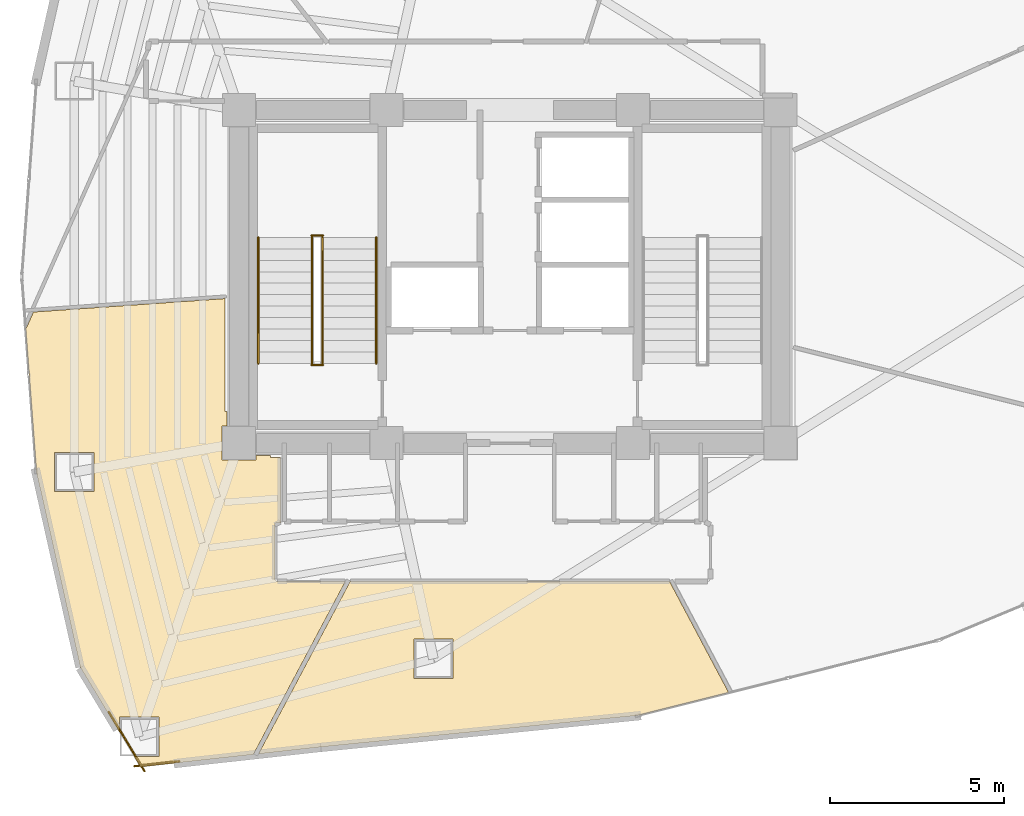
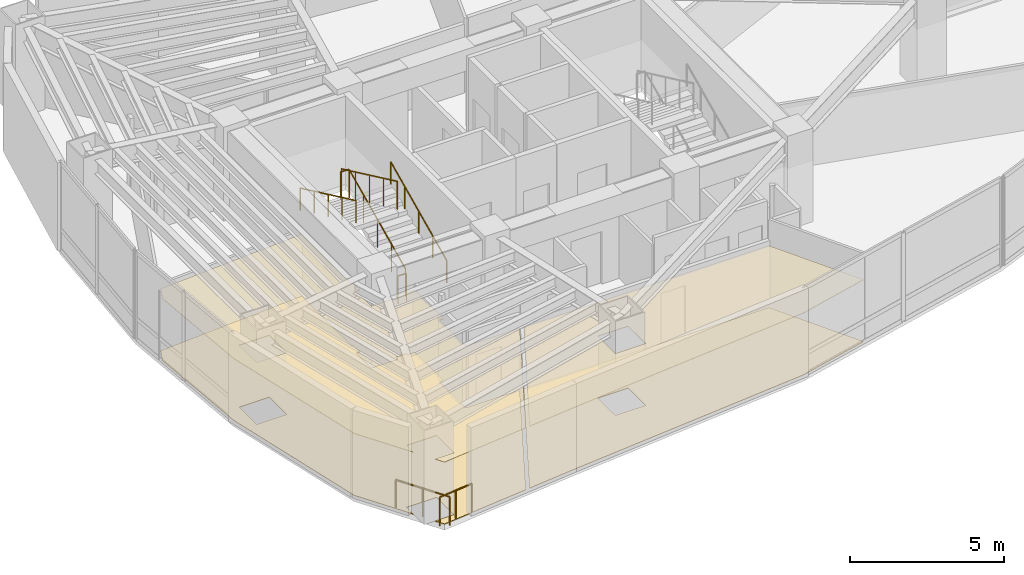
# One storey, part 16 of 18: 8 railings, 4 coverings.
"""IFC4 building model written with IfcOpenShell, lengths in metres."""

from ifc_helpers import new_model, si_unit, direction, frame, origin, origin_2d, place, context, subcontext, project, spatial, polyline, circle, outline, extrude, material, layer, layer_set, type_object, element, save


model = new_model("IFC4")

# Units and contexts
model_context = context("Model", 3, precision=1e-05, world=origin(), true_north=direction((0.0, 1.0)))
body_context = subcontext(model_context, "Body", "Model", "MODEL_VIEW")
ifc_project = project(units=[si_unit("LENGTHUNIT", "METRE"), si_unit("AREAUNIT", "SQUARE_METRE"), si_unit("VOLUMEUNIT", "CUBIC_METRE"), si_unit("PLANEANGLEUNIT", "RADIAN"), si_unit("MASSUNIT", "GRAM", prefix="KILO")], contexts=[model_context])

# Site, building, storey
site_placement = place(None, origin())
site = spatial("IfcSite", under=ifc_project, at=site_placement, CompositionType="ELEMENT")
building_placement = place(site_placement, origin())
building = spatial("IfcBuilding", under=site, at=building_placement, Name="Menara Vayukalpa", CompositionType="ELEMENT")
storey_placement = place(building_placement, frame((0.0, 0.0, 165.47998046875)))
storey = spatial("IfcBuildingStorey", under=building, at=storey_placement, Name="L41", CompositionType="ELEMENT", Elevation=165.47998046875)

# Coverings
ifc_material_1 = material(Name="Mineral Fibre Acoustic Ceiling Tile", Category="masonry")
ifc_layer_1 = layer(ifc_material_1, 0.02490234375)
ifc_layer_set_1 = layer_set([ifc_layer_1], Name="Mineral Fibre Acoustic Ceiling Tile")
covering_type_1 = type_object("IfcCoveringType", Name="COV-CLG1", PredefinedType="CEILING", material=ifc_layer_set_1)
covering_1_placement = place(storey_placement, frame((0.0, 0.0, 2.449951171875)))
element("IfcCovering", 1, at=covering_1_placement, inside=storey, type_object=covering_type_1, Name="L41 Executive Office Suite Acoustic Ceiling", PredefinedType="CEILING", context=body_context, shape_type="SweptSolid", body=[
    extrude(outline(polyline([(14.957763671875, 7.872314453125), (14.956787109375, 7.87255859375), (14.955810546875, 7.872802734375), (14.955078125, 7.873291015625), (14.9541015625, 7.873779296875), (14.95361328125, 7.874267578125), (14.95263671875, 7.874755859375), (14.9521484375, 7.87548828125), (14.951416015625, 7.876220703125), (14.950927734375, 7.876953125), (14.771728515625, 8.174560546875), (15.485595703125, 8.174560546875), (15.485595703125, 9.304443359375), (14.35546875, 9.304443359375), (14.35546875, 8.864990234375), (13.226318359375, 10.738525390625), (13.225830078125, 10.739501953125), (13.2255859375, 10.740478515625), (13.22509765625, 10.74169921875), (11.958984375, 16.368896484375), (11.958984375, 16.37060546875), (11.648681640625, 20.505615234375), (11.648681640625, 20.50634765625), (11.64892578125, 20.50732421875), (11.64892578125, 20.50830078125), (11.6494140625, 20.50927734375), (11.649658203125, 20.510009765625), (11.64990234375, 20.510986328125), (11.650390625, 20.51171875), (11.651123046875, 20.512451171875), (11.651611328125, 20.51318359375), (11.65234375, 20.513916015625), (11.653076171875, 20.514404296875), (11.65380859375, 20.514892578125), (11.656005859375, 20.51611328125), (11.660888671875, 20.51953125), (11.665283203125, 20.5234375), (11.66943359375, 20.527587890625), (11.673095703125, 20.5322265625), (11.67626953125, 20.537353515625), (11.67919921875, 20.542724609375), (11.871337890625, 20.974609375), (11.871826171875, 20.975341796875), (11.872314453125, 20.976318359375), (11.872802734375, 20.97705078125), (11.87353515625, 20.977783203125), (11.87451171875, 20.978515625), (11.875244140625, 20.97900390625), (11.8759765625, 20.9794921875), (11.876953125, 20.979736328125), (11.8779296875, 20.97998046875), (11.87890625, 20.98046875), (11.8798828125, 20.98046875), (17.37939453125, 21.364990234375), (17.38037109375, 21.364990234375), (17.381103515625, 21.364990234375), (17.382080078125, 21.36474609375), (17.383056640625, 21.364501953125), (17.384033203125, 21.3642578125), (17.385009765625, 21.36376953125), (17.3857421875, 21.36328125), (17.386474609375, 21.362548828125), (17.38720703125, 21.362060546875), (17.3876953125, 21.361328125), (17.388427734375, 21.360595703125), (17.388916015625, 21.359619140625), (17.389404296875, 21.35888671875), (17.3896484375, 21.35791015625), (17.389892578125, 21.35693359375), (17.389892578125, 21.35595703125), (17.389892578125, 21.35498046875), (17.389892578125, 18.110107421875), (17.449951171875, 18.110107421875), (17.449951171875, 17.68994140625), (17.31005859375, 17.68994140625), (17.31005859375, 16.7099609375), (18.2900390625, 16.7099609375), (18.2900390625, 16.85009765625), (18.7099609375, 16.85009765625), (18.7099609375, 16.7900390625), (18.97998046875, 16.7900390625), (18.98095703125, 16.7900390625), (18.98193359375, 16.789794921875), (18.98291015625, 16.78955078125), (18.98388671875, 16.789306640625), (18.984619140625, 16.788818359375), (18.985595703125, 16.788330078125), (18.986328125, 16.78759765625), (18.987060546875, 16.787109375), (18.98779296875, 16.786376953125), (18.98828125, 16.78564453125), (18.98876953125, 16.78466796875), (18.9892578125, 16.78369140625), (18.989501953125, 16.782958984375), (18.98974609375, 16.781982421875), (18.989990234375, 16.781005859375), (18.989990234375, 16.780029296875), (18.989990234375, 14.929931640625), (18.989990234375, 14.928955078125), (18.98974609375, 14.927978515625), (18.989501953125, 14.927001953125), (18.9892578125, 14.92626953125), (18.98876953125, 14.92529296875), (18.98828125, 14.92431640625), (18.98779296875, 14.923583984375), (18.987060546875, 14.9228515625), (18.986328125, 14.92236328125), (18.985595703125, 14.921630859375), (18.984619140625, 14.921142578125), (18.98388671875, 14.9208984375), (18.98291015625, 14.92041015625), (18.98193359375, 14.920166015625), (18.98095703125, 14.919921875), (18.97998046875, 14.919921875), (18.900390625, 14.919921875), (18.893310546875, 14.919677734375), (18.88623046875, 14.918701171875), (18.879638671875, 14.9169921875), (18.873291015625, 14.914794921875), (18.866943359375, 14.911865234375), (18.861083984375, 14.908203125), (18.85546875, 14.904052734375), (18.8505859375, 14.8994140625), (18.845947265625, 14.89453125), (18.841796875, 14.888916015625), (18.838134765625, 14.883056640625), (18.835205078125, 14.876708984375), (18.8330078125, 14.870361328125), (18.831298828125, 14.86376953125), (18.830322265625, 14.856689453125), (18.830078125, 14.849609375), (18.830078125, 13.290283203125), (18.830322265625, 13.283203125), (18.831298828125, 13.2763671875), (18.8330078125, 13.269775390625), (18.835205078125, 13.26318359375), (18.838134765625, 13.257080078125), (18.841796875, 13.251220703125), (18.845947265625, 13.24560546875), (18.8505859375, 13.240478515625), (18.85546875, 13.236083984375), (18.861083984375, 13.231689453125), (18.866943359375, 13.228271484375), (18.873291015625, 13.225341796875), (18.879638671875, 13.222900390625), (18.88623046875, 13.22119140625), (18.893310546875, 13.220458984375), (18.900390625, 13.219970703125), (20.846923828125, 13.219970703125), (20.847900390625, 13.219970703125), (20.848876953125, 13.2197265625), (20.849853515625, 13.219482421875), (20.850830078125, 13.21923828125), (20.851806640625, 13.21875), (20.8525390625, 13.21826171875), (20.853271484375, 13.2177734375), (20.85400390625, 13.217041015625), (20.854736328125, 13.21630859375), (20.855224609375, 13.215576171875), (20.855712890625, 13.214599609375), (20.856201171875, 13.2138671875), (20.856689453125, 13.212890625), (20.856689453125, 13.2119140625), (20.85693359375, 13.2109375), (20.85693359375, 13.2099609375), (20.85693359375, 13.208984375), (20.856689453125, 13.2080078125), (20.856689453125, 13.20703125), (20.856201171875, 13.206298828125), (20.855712890625, 13.205322265625), (18.219482421875, 8.2470703125), (18.216796875, 8.2412109375), (18.215576171875, 8.238037109375), (18.215087890625, 8.237060546875), (18.21484375, 8.236083984375), (18.214111328125, 8.2353515625), (18.21337890625, 8.234619140625), (18.212890625, 8.23388671875), (18.2119140625, 8.2333984375), (18.211181640625, 8.232666015625), (18.210205078125, 8.232421875), (18.209228515625, 8.23193359375), (18.208251953125, 8.231689453125), (18.207275390625, 8.2314453125), (14.960693359375, 7.872314453125), (14.959716796875, 7.872314453125), (14.958740234375, 7.872314453125), (14.957763671875, 7.872314453125)]), holes=[polyline([(13.614013671875, 16.93310546875), (12.484130859375, 16.93310546875), (12.484130859375, 15.80322265625), (13.614013671875, 15.80322265625), (13.614013671875, 16.93310546875)])]), origin(), (0.0, 0.0, 1.0), 0.025146484375),
])
covering_2_placement = place(storey_placement, frame((0.0, 0.0, 2.449951171875)))
element("IfcCovering", 2, at=covering_2_placement, inside=storey, type_object=covering_type_1, Name="L41 Open Plan Office Workplace Acoustic Ceiling", PredefinedType="CEILING", context=body_context, shape_type="SweptSolid", body=[
    extrude(outline(polyline([(18.37353515625, 8.25), (18.37255859375, 8.25), (18.37158203125, 8.25), (18.37060546875, 8.250244140625), (18.369873046875, 8.25048828125), (18.368896484375, 8.2509765625), (18.367919921875, 8.25146484375), (18.3671875, 8.252197265625), (18.366455078125, 8.252685546875), (18.36572265625, 8.25341796875), (18.365234375, 8.25439453125), (18.36474609375, 8.255126953125), (18.3642578125, 8.256103515625), (18.364013671875, 8.2568359375), (18.36376953125, 8.2578125), (18.363525390625, 8.2587890625), (18.363525390625, 8.260009765625), (18.363525390625, 8.2607421875), (18.36376953125, 8.26171875), (18.364013671875, 8.2626953125), (18.3642578125, 8.263671875), (18.36474609375, 8.2646484375), (20.996826171875, 13.214599609375), (20.997314453125, 13.215576171875), (20.997802734375, 13.21630859375), (20.99853515625, 13.217041015625), (20.999267578125, 13.2177734375), (21.0, 13.21826171875), (21.0009765625, 13.21875), (21.001708984375, 13.21923828125), (21.002685546875, 13.219482421875), (21.003662109375, 13.2197265625), (21.004638671875, 13.219970703125), (21.005615234375, 13.219970703125), (30.1943359375, 13.219970703125), (30.1953125, 13.219970703125), (30.1962890625, 13.2197265625), (30.197265625, 13.219482421875), (30.1982421875, 13.21923828125), (30.19921875, 13.21875), (30.199951171875, 13.21826171875), (30.20068359375, 13.2177734375), (30.201416015625, 13.217041015625), (30.2021484375, 13.21630859375), (30.20263671875, 13.215576171875), (30.203125, 13.214599609375), (31.898681640625, 10.02587890625), (31.899169921875, 10.02490234375), (31.8994140625, 10.02392578125), (31.899658203125, 10.023193359375), (31.89990234375, 10.022216796875), (31.89990234375, 10.02099609375), (31.89990234375, 10.02001953125), (31.899658203125, 10.01904296875), (31.8994140625, 10.01806640625), (31.89892578125, 10.01708984375), (31.898681640625, 10.01611328125), (31.89794921875, 10.015380859375), (31.8974609375, 10.0146484375), (31.896728515625, 10.013916015625), (31.89599609375, 10.01318359375), (31.89501953125, 10.0126953125), (31.894287109375, 10.01220703125), (31.893310546875, 10.01171875), (31.892333984375, 10.011474609375), (29.2646484375, 9.35302734375), (29.26318359375, 9.352783203125), (20.146484375, 8.44580078125), (20.14599609375, 8.44580078125), (18.37451171875, 8.25), (18.37353515625, 8.25)]), holes=[polyline([(23.9619140625, 11.552978515625), (22.831787109375, 11.552978515625), (22.831787109375, 10.423095703125), (23.9619140625, 10.423095703125), (23.9619140625, 11.552978515625)])]), origin(), (0.0, 0.0, 1.0), 0.025146484375),
])
ifc_material_2 = material(Name="Porcelain Stoneware Floor Tile", Category="masonry")
ifc_layer_2 = layer(ifc_material_2, 0.02001953125)
ifc_layer_set_2 = layer_set([ifc_layer_2], Name="Porcelain Stoneware Floor Tile")
covering_type_2 = type_object("IfcCoveringType", Name="COV-FLR1", PredefinedType="FLOORING", material=ifc_layer_set_2)
covering_3_placement = place(storey_placement, origin())
element("IfcCovering", 3, at=covering_3_placement, inside=storey, type_object=covering_type_2, Name="L41 Executive Office Suite Porcelain Flooring", PredefinedType="FLOORING", context=body_context, shape_type="SweptSolid", body=[
    extrude(outline(polyline([(14.957763671875, 7.872314453125), (14.956787109375, 7.87255859375), (14.955810546875, 7.872802734375), (14.955078125, 7.873291015625), (14.9541015625, 7.873779296875), (14.95361328125, 7.874267578125), (14.95263671875, 7.874755859375), (14.9521484375, 7.87548828125), (14.951416015625, 7.876220703125), (14.950927734375, 7.876953125), (14.771728515625, 8.174560546875), (15.485595703125, 8.174560546875), (15.485595703125, 9.304443359375), (14.35546875, 9.304443359375), (14.35546875, 8.864990234375), (13.226318359375, 10.738525390625), (13.225830078125, 10.739501953125), (13.2255859375, 10.740478515625), (13.22509765625, 10.74169921875), (11.958984375, 16.368896484375), (11.958984375, 16.37060546875), (11.648681640625, 20.505615234375), (11.648681640625, 20.50634765625), (11.64892578125, 20.50732421875), (11.64892578125, 20.50830078125), (11.6494140625, 20.50927734375), (11.649658203125, 20.510009765625), (11.64990234375, 20.510986328125), (11.650390625, 20.51171875), (11.651123046875, 20.512451171875), (11.651611328125, 20.51318359375), (11.65234375, 20.513916015625), (11.653076171875, 20.514404296875), (11.65380859375, 20.514892578125), (11.656005859375, 20.51611328125), (11.660888671875, 20.51953125), (11.665283203125, 20.5234375), (11.66943359375, 20.527587890625), (11.673095703125, 20.5322265625), (11.67626953125, 20.537353515625), (11.67919921875, 20.542724609375), (11.871337890625, 20.974609375), (11.871826171875, 20.975341796875), (11.872314453125, 20.976318359375), (11.872802734375, 20.97705078125), (11.87353515625, 20.977783203125), (11.87451171875, 20.978515625), (11.875244140625, 20.97900390625), (11.8759765625, 20.9794921875), (11.876953125, 20.979736328125), (11.8779296875, 20.97998046875), (11.87890625, 20.98046875), (11.8798828125, 20.98046875), (17.37939453125, 21.364990234375), (17.38037109375, 21.364990234375), (17.381103515625, 21.364990234375), (17.382080078125, 21.36474609375), (17.383056640625, 21.364501953125), (17.384033203125, 21.3642578125), (17.385009765625, 21.36376953125), (17.3857421875, 21.36328125), (17.386474609375, 21.362548828125), (17.38720703125, 21.362060546875), (17.3876953125, 21.361328125), (17.388427734375, 21.360595703125), (17.388916015625, 21.359619140625), (17.389404296875, 21.35888671875), (17.3896484375, 21.35791015625), (17.389892578125, 21.35693359375), (17.389892578125, 21.35595703125), (17.389892578125, 21.35498046875), (17.389892578125, 18.110107421875), (17.449951171875, 18.110107421875), (17.449951171875, 17.68994140625), (17.31005859375, 17.68994140625), (17.31005859375, 16.7099609375), (18.2900390625, 16.7099609375), (18.2900390625, 16.85009765625), (18.7099609375, 16.85009765625), (18.7099609375, 16.7900390625), (18.97998046875, 16.7900390625), (18.98095703125, 16.7900390625), (18.98193359375, 16.789794921875), (18.98291015625, 16.78955078125), (18.98388671875, 16.789306640625), (18.984619140625, 16.788818359375), (18.985595703125, 16.788330078125), (18.986328125, 16.78759765625), (18.987060546875, 16.787109375), (18.98779296875, 16.786376953125), (18.98828125, 16.78564453125), (18.98876953125, 16.78466796875), (18.9892578125, 16.78369140625), (18.989501953125, 16.782958984375), (18.98974609375, 16.781982421875), (18.989990234375, 16.781005859375), (18.989990234375, 16.780029296875), (18.989990234375, 14.929931640625), (18.989990234375, 14.928955078125), (18.98974609375, 14.927978515625), (18.989501953125, 14.927001953125), (18.9892578125, 14.92626953125), (18.98876953125, 14.92529296875), (18.98828125, 14.92431640625), (18.98779296875, 14.923583984375), (18.987060546875, 14.9228515625), (18.986328125, 14.92236328125), (18.985595703125, 14.921630859375), (18.984619140625, 14.921142578125), (18.98388671875, 14.9208984375), (18.98291015625, 14.92041015625), (18.98193359375, 14.920166015625), (18.98095703125, 14.919921875), (18.97998046875, 14.919921875), (18.900390625, 14.919921875), (18.893310546875, 14.919677734375), (18.88623046875, 14.918701171875), (18.879638671875, 14.9169921875), (18.873291015625, 14.914794921875), (18.866943359375, 14.911865234375), (18.861083984375, 14.908203125), (18.85546875, 14.904052734375), (18.8505859375, 14.8994140625), (18.845947265625, 14.89453125), (18.841796875, 14.888916015625), (18.838134765625, 14.883056640625), (18.835205078125, 14.876708984375), (18.8330078125, 14.870361328125), (18.831298828125, 14.86376953125), (18.830322265625, 14.856689453125), (18.830078125, 14.849609375), (18.830078125, 13.290283203125), (18.830322265625, 13.283203125), (18.831298828125, 13.2763671875), (18.8330078125, 13.269775390625), (18.835205078125, 13.26318359375), (18.838134765625, 13.257080078125), (18.841796875, 13.251220703125), (18.845947265625, 13.24560546875), (18.8505859375, 13.240478515625), (18.85546875, 13.236083984375), (18.861083984375, 13.231689453125), (18.866943359375, 13.228271484375), (18.873291015625, 13.225341796875), (18.879638671875, 13.222900390625), (18.88623046875, 13.22119140625), (18.893310546875, 13.220458984375), (18.900390625, 13.219970703125), (20.846923828125, 13.219970703125), (20.847900390625, 13.219970703125), (20.848876953125, 13.2197265625), (20.849853515625, 13.219482421875), (20.850830078125, 13.21923828125), (20.851806640625, 13.21875), (20.8525390625, 13.21826171875), (20.853271484375, 13.2177734375), (20.85400390625, 13.217041015625), (20.854736328125, 13.21630859375), (20.855224609375, 13.215576171875), (20.855712890625, 13.214599609375), (20.856201171875, 13.2138671875), (20.856689453125, 13.212890625), (20.856689453125, 13.2119140625), (20.85693359375, 13.2109375), (20.85693359375, 13.2099609375), (20.85693359375, 13.208984375), (20.856689453125, 13.2080078125), (20.856689453125, 13.20703125), (20.856201171875, 13.206298828125), (20.855712890625, 13.205322265625), (18.219482421875, 8.2470703125), (18.216796875, 8.2412109375), (18.215576171875, 8.238037109375), (18.215087890625, 8.237060546875), (18.21484375, 8.236083984375), (18.214111328125, 8.2353515625), (18.21337890625, 8.234619140625), (18.212890625, 8.23388671875), (18.2119140625, 8.2333984375), (18.211181640625, 8.232666015625), (18.210205078125, 8.232421875), (18.209228515625, 8.23193359375), (18.208251953125, 8.231689453125), (18.207275390625, 8.2314453125), (14.960693359375, 7.872314453125), (14.959716796875, 7.872314453125), (14.958740234375, 7.872314453125), (14.957763671875, 7.872314453125)]), holes=[polyline([(13.614013671875, 16.93310546875), (12.484130859375, 16.93310546875), (12.484130859375, 15.80322265625), (13.614013671875, 15.80322265625), (13.614013671875, 16.93310546875)])]), origin(), (0.0, 0.0, 1.0), 0.02001953125),
])
covering_4_placement = place(storey_placement, origin())
element("IfcCovering", 4, at=covering_4_placement, inside=storey, type_object=covering_type_2, Name="L41 Open Plan Office Workplace Porcelain Flooring", PredefinedType="FLOORING", context=body_context, shape_type="SweptSolid", body=[
    extrude(outline(polyline([(18.37353515625, 8.25), (18.37255859375, 8.25), (18.37158203125, 8.25), (18.37060546875, 8.250244140625), (18.369873046875, 8.25048828125), (18.368896484375, 8.2509765625), (18.367919921875, 8.25146484375), (18.3671875, 8.252197265625), (18.366455078125, 8.252685546875), (18.36572265625, 8.25341796875), (18.365234375, 8.25439453125), (18.36474609375, 8.255126953125), (18.3642578125, 8.256103515625), (18.364013671875, 8.2568359375), (18.36376953125, 8.2578125), (18.363525390625, 8.2587890625), (18.363525390625, 8.260009765625), (18.363525390625, 8.2607421875), (18.36376953125, 8.26171875), (18.364013671875, 8.2626953125), (18.3642578125, 8.263671875), (18.36474609375, 8.2646484375), (20.996826171875, 13.214599609375), (20.997314453125, 13.215576171875), (20.997802734375, 13.21630859375), (20.99853515625, 13.217041015625), (20.999267578125, 13.2177734375), (21.0, 13.21826171875), (21.0009765625, 13.21875), (21.001708984375, 13.21923828125), (21.002685546875, 13.219482421875), (21.003662109375, 13.2197265625), (21.004638671875, 13.219970703125), (21.005615234375, 13.219970703125), (30.1943359375, 13.219970703125), (30.1953125, 13.219970703125), (30.1962890625, 13.2197265625), (30.197265625, 13.219482421875), (30.1982421875, 13.21923828125), (30.19921875, 13.21875), (30.199951171875, 13.21826171875), (30.20068359375, 13.2177734375), (30.201416015625, 13.217041015625), (30.2021484375, 13.21630859375), (30.20263671875, 13.215576171875), (30.203125, 13.214599609375), (31.898681640625, 10.02587890625), (31.899169921875, 10.02490234375), (31.8994140625, 10.02392578125), (31.899658203125, 10.023193359375), (31.89990234375, 10.022216796875), (31.89990234375, 10.02099609375), (31.89990234375, 10.02001953125), (31.899658203125, 10.01904296875), (31.8994140625, 10.01806640625), (31.89892578125, 10.01708984375), (31.898681640625, 10.01611328125), (31.89794921875, 10.015380859375), (31.8974609375, 10.0146484375), (31.896728515625, 10.013916015625), (31.89599609375, 10.01318359375), (31.89501953125, 10.0126953125), (31.894287109375, 10.01220703125), (31.893310546875, 10.01171875), (31.892333984375, 10.011474609375), (29.2646484375, 9.35302734375), (29.26318359375, 9.352783203125), (20.146484375, 8.44580078125), (20.14599609375, 8.44580078125), (18.37451171875, 8.25), (18.37353515625, 8.25)]), holes=[polyline([(23.9619140625, 11.552978515625), (22.831787109375, 11.552978515625), (22.831787109375, 10.423095703125), (23.9619140625, 10.423095703125), (23.9619140625, 11.552978515625)])]), origin(), (0.0, 0.0, 1.0), 0.02001953125),
])

# Railings
ifc_material_3 = material(Name="Laminated Glass and Stainless Steel 316 Guardrail", Category="steel")
railing_type_1 = type_object("IfcRailingType", Name="RLG-EXT115", PredefinedType="GUARDRAIL", material=ifc_material_3)
railing_1_placement = place(storey_placement, frame((14.04345703125, 9.460205078125, 0.0)))
element("IfcRailing", 5, at=railing_1_placement, inside=storey, type_object=railing_type_1, Name="L41 Column Corner Spandrel Guardrail 13-1", PredefinedType="GUARDRAIL", context=body_context, shape_type="SweptSolid", body=[
    extrude(circle(Radius=0.02392578125, at=origin_2d()), frame((0.0, 0.0, 1.1259765625), z_axis=(0.516238473258, -0.856444883649, 0.0), x_axis=(0.856444883649, 0.516238473258, 0.0)), (0.0, 0.0, 1.0), 1.9970703125),
    extrude(circle(Radius=0.02099609375, at=origin_2d()), origin(), (0.0, 0.0, 1.0), 1.101806640625),
    extrude(circle(Radius=0.02099609375, at=origin_2d()), frame((0.515625, -0.855224609375, 0.0)), (0.0, 0.0, 1.0), 1.101806640625),
    extrude(circle(Radius=0.02099609375, at=origin_2d()), frame((1.031005859375, -1.71044921875, 0.0)), (0.0, 0.0, 1.0), 1.101806640625),
])
railing_2_placement = place(storey_placement, frame((14.784423828125, 7.89306640625, 0.0)))
element("IfcRailing", 6, at=railing_2_placement, inside=storey, type_object=railing_type_1, Name="L41 Column Corner Spandrel Guardrail 14-1", PredefinedType="GUARDRAIL", context=body_context, shape_type="SweptSolid", body=[
    extrude(circle(Radius=0.02392578125, at=origin_2d()), frame((0.0, 0.0, 1.1259765625), z_axis=(0.99393179446, 0.109998127083, 0.0), x_axis=(-0.109998127083, 0.99393179446, 0.0)), (0.0, 0.0, 1.0), 1.29833984375),
    extrude(circle(Radius=0.02099609375, at=origin_2d()), origin(), (0.0, 0.0, 1.0), 1.101806640625),
    extrude(circle(Radius=0.02099609375, at=origin_2d()), frame((0.645263671875, 0.0712890625, 0.0)), (0.0, 0.0, 1.0), 1.101806640625),
    extrude(circle(Radius=0.02099609375, at=origin_2d()), frame((1.29052734375, 0.142822265625, 0.0)), (0.0, 0.0, 1.0), 1.101806640625),
])
ifc_material_4 = material(Name="Powder-Coated Galvanised Steel Guardrail", Category="steel")
railing_type_2 = type_object("IfcRailingType", Name="RLG-STG110", PredefinedType="GUARDRAIL", material=ifc_material_4)
railing_3_placement = place(storey_placement, frame((20.199951171875, 19.5, 0.155029296875)))
element("IfcRailing", 7, at=railing_3_placement, inside=storey, type_object=railing_type_2, Name="L41 ST-1 stair guard 1", PredefinedType="GUARDRAIL", context=body_context, shape_type="SweptSolid", body=[
    extrude(circle(Radius=0.02392578125, at=origin_2d()), frame((0.0, 0.0, 1.09619140625), z_axis=(0.0, 0.90511648382, 0.425163675209), x_axis=(-1.0, 0.0, 0.0)), (0.0, 0.0, 1.0), 4.010498046875),
    extrude(circle(Radius=0.02099609375, at=origin_2d()), origin(), (0.0, 0.0, 1.0), 1.072021484375),
    extrude(circle(Radius=0.02099609375, at=origin_2d()), frame((0.0, 0.907470703125, 0.42626953125)), (0.0, 0.0, 1.0), 1.072021484375),
    extrude(circle(Radius=0.02099609375, at=origin_2d()), frame((0.0, 1.81494140625, 0.8525390625)), (0.0, 0.0, 1.0), 1.072021484375),
    extrude(circle(Radius=0.02099609375, at=origin_2d()), frame((0.0, 2.722412109375, 1.27880859375)), (0.0, 0.0, 1.0), 1.072021484375),
    extrude(circle(Radius=0.02099609375, at=origin_2d()), frame((0.0, 3.6298828125, 1.705078125)), (0.0, 0.0, 1.0), 1.072021484375),
])
railing_4_placement = place(storey_placement, frame((20.2099609375, 23.179931640625, 1.860107421875)))
element("IfcRailing", 8, at=railing_4_placement, inside=storey, type_object=railing_type_2, Name="L41 ST-1 stair guard 2", PredefinedType="GUARDRAIL", context=body_context, shape_type="SweptSolid", body=[
    extrude(circle(Radius=0.02392578125, at=origin_2d()), frame((0.0, 0.0, 1.09619140625), z_axis=(-1.0, 0.0, 0.0), x_axis=(0.0, -1.0, 0.0)), (0.0, 0.0, 1.0), 0.320068359375),
    extrude(circle(Radius=0.02099609375, at=origin_2d()), origin(), (0.0, 0.0, 1.0), 1.072021484375),
    extrude(circle(Radius=0.02099609375, at=origin_2d()), frame((-0.320068359375, 0.0, 0.0)), (0.0, 0.0, 1.0), 1.072021484375),
])
railing_5_placement = place(storey_placement, frame((19.89990234375, 23.1298828125, 2.01513671875)))
element("IfcRailing", 9, at=railing_5_placement, inside=storey, type_object=railing_type_2, Name="L41 ST-1 stair guard 3", PredefinedType="GUARDRAIL", context=body_context, shape_type="SweptSolid", body=[
    extrude(circle(Radius=0.02392578125, at=origin_2d()), frame((0.0, 0.0, 1.09619140625), z_axis=(0.0, -0.90513990983, 0.425113800803), x_axis=(1.0, 0.0, 0.0)), (0.0, 0.0, 1.0), 4.01025390625),
    extrude(circle(Radius=0.02099609375, at=origin_2d()), origin(), (0.0, 0.0, 1.0), 1.072021484375),
    extrude(circle(Radius=0.02099609375, at=origin_2d()), frame((0.0, -0.907470703125, 0.42626953125)), (0.0, 0.0, 1.0), 1.072021484375),
    extrude(circle(Radius=0.02099609375, at=origin_2d()), frame((0.0, -1.81494140625, 0.8525390625)), (0.0, 0.0, 1.0), 1.072021484375),
    extrude(circle(Radius=0.02099609375, at=origin_2d()), frame((0.0, -2.722412109375, 1.278564453125)), (0.0, 0.0, 1.0), 1.072021484375),
    extrude(circle(Radius=0.02099609375, at=origin_2d()), frame((0.0, -3.6298828125, 1.704833984375)), (0.0, 0.0, 1.0), 1.072021484375),
])
railing_6_placement = place(storey_placement, frame((20.2099609375, 19.449951171875, 0.0)))
element("IfcRailing", 10, at=railing_6_placement, inside=storey, type_object=railing_type_2, Name="L41 ST-1 stair guard 4", PredefinedType="GUARDRAIL", context=body_context, shape_type="SweptSolid", body=[
    extrude(circle(Radius=0.02392578125, at=origin_2d()), frame((0.0, 0.0, 1.09619140625), z_axis=(-1.0, 0.0, 0.0), x_axis=(0.0, -1.0, 0.0)), (0.0, 0.0, 1.0), 0.320068359375),
    extrude(circle(Radius=0.02099609375, at=origin_2d()), origin(), (0.0, 0.0, 1.0), 1.072021484375),
    extrude(circle(Radius=0.02099609375, at=origin_2d()), frame((-0.320068359375, 0.0, 0.0)), (0.0, 0.0, 1.0), 1.072021484375),
])
ifc_material_5 = material(Name="Stainless Steel 316 Tubular Handrail", Category="steel")
railing_type_3 = type_object("IfcRailingType", Name="RLG-STH090", PredefinedType="HANDRAIL", material=ifc_material_5)
railing_7_placement = place(storey_placement, frame((21.75, 19.5, 0.155029296875)))
element("IfcRailing", 11, at=railing_7_placement, inside=storey, type_object=railing_type_3, Name="L41 ST-1 stair handrail 1", PredefinedType="HANDRAIL", context=body_context, shape_type="SweptSolid", body=[
    extrude(circle(Radius=0.02392578125, at=origin_2d()), frame((0.0, 0.0, 0.8759765625), z_axis=(0.0, 0.90511648382, 0.425163675209), x_axis=(-1.0, 0.0, 0.0)), (0.0, 0.0, 1.0), 4.010498046875),
    extrude(circle(Radius=0.02099609375, at=origin_2d()), origin(), (0.0, 0.0, 1.0), 0.851806640625),
    extrude(circle(Radius=0.02099609375, at=origin_2d()), frame((0.0, 0.907470703125, 0.42626953125)), (0.0, 0.0, 1.0), 0.851806640625),
    extrude(circle(Radius=0.02099609375, at=origin_2d()), frame((0.0, 1.81494140625, 0.8525390625)), (0.0, 0.0, 1.0), 0.851806640625),
    extrude(circle(Radius=0.02099609375, at=origin_2d()), frame((0.0, 2.722412109375, 1.27880859375)), (0.0, 0.0, 1.0), 0.851806640625),
    extrude(circle(Radius=0.02099609375, at=origin_2d()), frame((0.0, 3.6298828125, 1.705078125)), (0.0, 0.0, 1.0), 0.851806640625),
])
railing_8_placement = place(storey_placement, frame((18.35009765625, 23.1298828125, 2.01513671875)))
element("IfcRailing", 12, at=railing_8_placement, inside=storey, type_object=railing_type_3, Name="L41 ST-1 stair handrail 2", PredefinedType="HANDRAIL", context=body_context, shape_type="SweptSolid", body=[
    extrude(circle(Radius=0.02392578125, at=origin_2d()), frame((0.0, 0.0, 0.8759765625), z_axis=(0.0, -0.90513990983, 0.425113800803), x_axis=(1.0, 0.0, 0.0)), (0.0, 0.0, 1.0), 4.01025390625),
    extrude(circle(Radius=0.02099609375, at=origin_2d()), origin(), (0.0, 0.0, 1.0), 0.851806640625),
    extrude(circle(Radius=0.02099609375, at=origin_2d()), frame((0.0, -0.907470703125, 0.42626953125)), (0.0, 0.0, 1.0), 0.851806640625),
    extrude(circle(Radius=0.02099609375, at=origin_2d()), frame((0.0, -1.81494140625, 0.8525390625)), (0.0, 0.0, 1.0), 0.851806640625),
    extrude(circle(Radius=0.02099609375, at=origin_2d()), frame((0.0, -2.722412109375, 1.278564453125)), (0.0, 0.0, 1.0), 0.851806640625),
    extrude(circle(Radius=0.02099609375, at=origin_2d()), frame((0.0, -3.6298828125, 1.704833984375)), (0.0, 0.0, 1.0), 0.851806640625),
])

save(model, "model.ifc")
